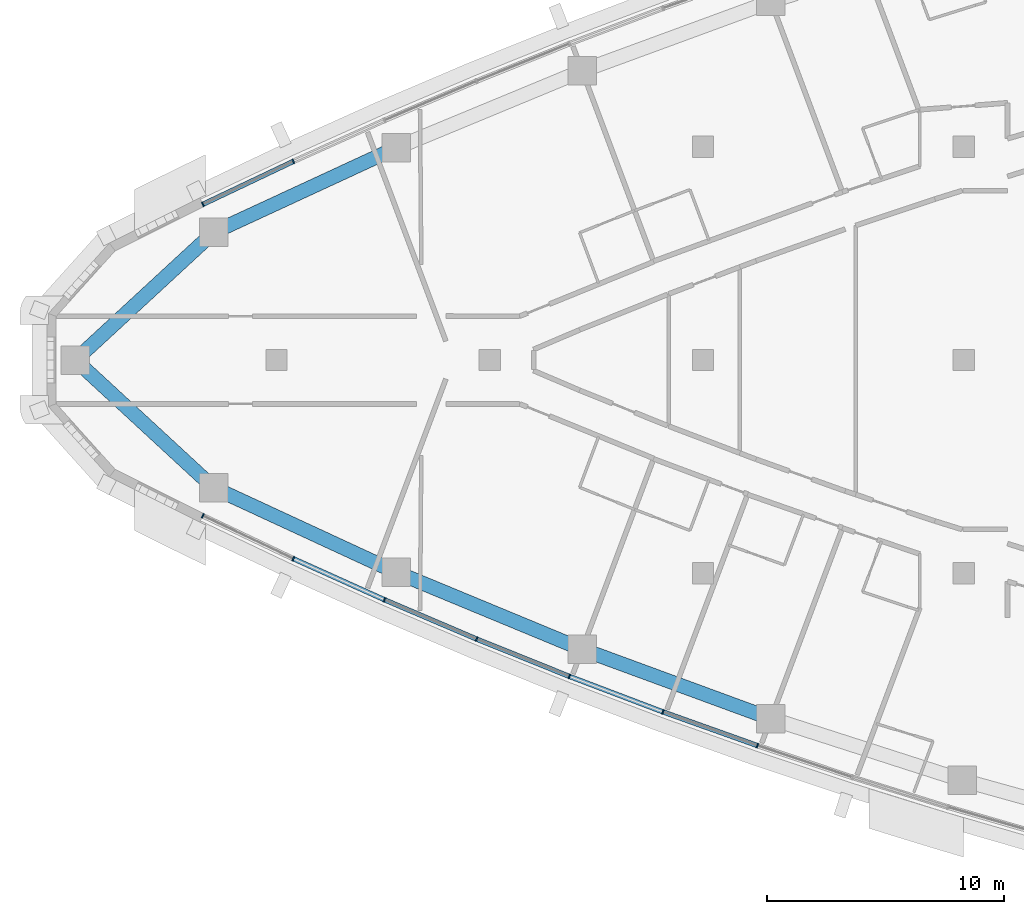
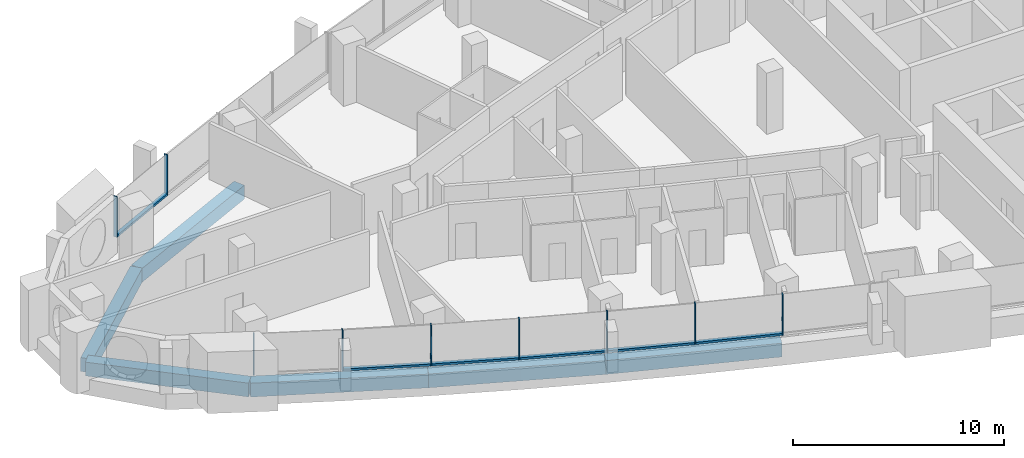
# One storey, part 2 of 16: 15 members, 6 beams, 4 elements without a shape of their own.
"""IFC4 building model written with IfcOpenShell, lengths in metres."""

from ifc_helpers import new_model, si_unit, direction, frame, origin, origin_2d, place, context, subcontext, project, spatial, rectangle, extrude, material, layer, layer_set, material_profile, profile_set, type_object, element, aggregate, save


model = new_model("IFC4")

# Units and contexts
model_context = context("Model", 3, precision=1e-05, world=origin(), true_north=direction((0.0, 1.0)))
body_context = subcontext(model_context, "Body", "Model", "MODEL_VIEW")
ifc_project = project(units=[si_unit("LENGTHUNIT", "METRE"), si_unit("AREAUNIT", "SQUARE_METRE"), si_unit("VOLUMEUNIT", "CUBIC_METRE"), si_unit("PLANEANGLEUNIT", "RADIAN"), si_unit("MASSUNIT", "GRAM", prefix="KILO")], contexts=[model_context])

# Site, building, storey
site_placement = place(None, origin())
site = spatial("IfcSite", under=ifc_project, at=site_placement, CompositionType="ELEMENT")
building_placement = place(site_placement, origin())
building = spatial("IfcBuilding", under=site, at=building_placement, Name="Ostrand Prow Hotel Tower", CompositionType="ELEMENT")
storey_placement = place(building_placement, frame((0.0, 0.0, 224.35009765625)))
storey = spatial("IfcBuildingStorey", under=building, at=storey_placement, Name="L56", CompositionType="ELEMENT", Elevation=224.35009765625)

# Beams
ifc_material_1 = material(Name="Concrete C50/60", Category="concrete")
ifc_material_profile_1 = material_profile(ifc_material_1, rectangle(XDim=0.60009765625, YDim=0.800048828125, at=origin_2d()), Name="RC 600x800")
ifc_profile_set_1 = profile_set([ifc_material_profile_1], Name="Concrete C50/60")
beam_type = type_object("IfcBeamType", Name="Edge beam 600x800 C50/60", PredefinedType="SPANDREL", material=ifc_profile_set_1)
beam_1_placement = place(storey_placement, frame((7.513916015625, 0.0, -0.7001953125), z_axis=(0.734806976358, -0.678276276672, 0.0), x_axis=(0.678276276672, 0.734806976358, 0.0)))
element("IfcBeam", 1, at=beam_1_placement, inside=storey, type_object=beam_type, Name="Edge beam P-S1", PredefinedType="SPANDREL", context=body_context, shape_type="SweptSolid", body=[
    extrude(rectangle(XDim=0.60009765625, YDim=0.800048828125, at=origin_2d()), origin(), (0.0, 0.0, 1.0), 7.95068359375),
])
beam_2_placement = place(storey_placement, frame((13.356201171875, -5.392822265625, -0.7001953125), z_axis=(0.907521936352, -0.420004684544, 0.0), x_axis=(0.420004684544, 0.907521936352, 0.0)))
element("IfcBeam", 2, at=beam_2_placement, inside=storey, type_object=beam_type, Name="Edge beam S1-S2", PredefinedType="SPANDREL", context=body_context, shape_type="SweptSolid", body=[
    extrude(rectangle(XDim=0.60009765625, YDim=0.800048828125, at=origin_2d()), origin(), (0.0, 0.0, 1.0), 8.4873046875),
])
for number, where, z_axis, x_axis, name in (
    (3, (21.05859375, -8.95751953125, -0.7001953125), (0.923890977326, -0.38265580097, 0.0), (0.38265580097, 0.923890977326, 0.0), "Edge beam S2-S3"),
    (4, (28.900146484375, -12.205322265625, -0.7001953125), (0.938684959139, -0.344776083113, 0.0), (0.344776083113, 0.938684959139, 0.0), "Edge beam S3-S4"),
):
    element("IfcBeam", number, at=place(storey_placement, frame(where, z_axis=z_axis, x_axis=x_axis)), inside=storey, type_object=beam_type, Name=name, PredefinedType="SPANDREL", context=body_context, shape_type="SweptSolid", body=[
        extrude(rectangle(XDim=0.60009765625, YDim=0.800048828125, at=origin_2d()), origin(), (0.0, 0.0, 1.0), 8.487548828125),
    ])
beam_3_placement = place(storey_placement, frame((21.05859375, 8.95751953125, -0.7001953125), z_axis=(-0.907521936352, -0.420004684544, 0.0), x_axis=(0.420004684544, -0.907521936352, 0.0)))
element("IfcBeam", 5, at=beam_3_placement, inside=storey, type_object=beam_type, Name="Edge beam N5-N6", PredefinedType="SPANDREL", context=body_context, shape_type="SweptSolid", body=[
    extrude(rectangle(XDim=0.60009765625, YDim=0.800048828125, at=origin_2d()), origin(), (0.0, 0.0, 1.0), 8.4873046875),
])
beam_4_placement = place(storey_placement, frame((13.356201171875, 5.392822265625, -0.7001953125), z_axis=(-0.734806976358, -0.678276276672, 0.0), x_axis=(0.678276276672, -0.734806976358, 0.0)))
element("IfcBeam", 6, at=beam_4_placement, inside=storey, type_object=beam_type, Name="Edge beam N6-P", PredefinedType="SPANDREL", context=body_context, shape_type="SweptSolid", body=[
    extrude(rectangle(XDim=0.60009765625, YDim=0.800048828125, at=origin_2d()), origin(), (0.0, 0.0, 1.0), 7.95068359375),
])

# Curtain wall, members
ifc_material_2 = material(Name="Insulated glass in bronze anodised frame", Category="glass")
ifc_layer = layer(ifc_material_2, 0.199951171875)
ifc_layer_set = layer_set([ifc_layer], Name="Insulated glass in bronze anodised frame")
curtain_wall_type = type_object("IfcCurtainWallType", Name="Strip curtain wall, fritted glass over bronze spandrel", PredefinedType="NOTDEFINED", material=ifc_layer_set)
curtain_wall_1_placement = place(storey_placement, origin())
curtain_wall_1 = element("IfcCurtainWall", 7, at=curtain_wall_1_placement, inside=storey, type_object=curtain_wall_type, Name="CW1 run CWS1", PredefinedType="NOTDEFINED")
ifc_material_3 = material(Name="Bronze anodised aluminium", Category="aluminium")
ifc_material_profile_2 = material_profile(ifc_material_3, rectangle(XDim=0.199951171875, YDim=0.06005859375, at=origin_2d()), Name="Mullion 60x200 bronze anodised aluminium")
ifc_profile_set_2 = profile_set([ifc_material_profile_2], Name="Bronze anodised aluminium")
member_type_1 = type_object("IfcMemberType", Name="Mullion 60x200 bronze anodised aluminium", PredefinedType="MULLION", material=ifc_profile_set_2)
member_1_placement = place(storey_placement, frame((12.893310546875, -6.57080078125, 0.89990234375), z_axis=(0.0, 0.0, 1.0), x_axis=(0.428861030937, 0.903370475577, 0.0)))
member_1 = element("IfcMember", 8, at=member_1_placement, type_object=member_type_1, Name="CW1 mullion 1", PredefinedType="MULLION", context=body_context, shape_type="SweptSolid", body=[
    extrude(rectangle(XDim=0.199951171875, YDim=0.06005859375, at=origin_2d()), origin(), (0.0, 0.0, 1.0), 2.35009765625),
])
member_2_placement = place(storey_placement, frame((16.708740234375, -8.382080078125, 0.89990234375), z_axis=(0.0, 0.0, 1.0), x_axis=(0.41058199404, 0.911823681514, 0.0)))
member_2 = element("IfcMember", 9, at=member_2_placement, type_object=member_type_1, Name="CW1 mullion 2", PredefinedType="MULLION", context=body_context, shape_type="SweptSolid", body=[
    extrude(rectangle(XDim=0.199951171875, YDim=0.06005859375, at=origin_2d()), origin(), (0.0, 0.0, 1.0), 2.35009765625),
])
member_3_placement = place(storey_placement, frame((20.56005859375, -10.116455078125, 0.89990234375), z_axis=(0.0, 0.0, 1.0), x_axis=(0.41058199404, 0.911823681514, 0.0)))
member_3 = element("IfcMember", 10, at=member_3_placement, type_object=member_type_1, Name="CW1 mullion 3", PredefinedType="MULLION", context=body_context, shape_type="SweptSolid", body=[
    extrude(rectangle(XDim=0.199951171875, YDim=0.06005859375, at=origin_2d()), origin(), (0.0, 0.0, 1.0), 2.35009765625),
])

curtain_wall_2_placement = place(storey_placement, origin())
curtain_wall_2 = element("IfcCurtainWall", 11, at=curtain_wall_2_placement, inside=storey, type_object=curtain_wall_type, Name="CW1 run CWS2", PredefinedType="NOTDEFINED")
member_4_placement = place(storey_placement, frame((24.445556640625, -11.772705078125, 0.89990234375), z_axis=(0.0, 0.0, 1.0), x_axis=(0.373533449004, 0.927616710972, 0.0)))
member_4 = element("IfcMember", 12, at=member_4_placement, type_object=member_type_1, Name="CW1 mullion 2", PredefinedType="MULLION", context=body_context, shape_type="SweptSolid", body=[
    extrude(rectangle(XDim=0.199951171875, YDim=0.06005859375, at=origin_2d()), origin(), (0.0, 0.0, 1.0), 2.35009765625),
])
member_5_placement = place(storey_placement, frame((28.363525390625, -13.350341796875, 0.89990234375), z_axis=(0.0, 0.0, 1.0), x_axis=(0.373533449004, 0.927616710972, 0.0)))
member_5 = element("IfcMember", 13, at=member_5_placement, type_object=member_type_1, Name="CW1 mullion 3", PredefinedType="MULLION", context=body_context, shape_type="SweptSolid", body=[
    extrude(rectangle(XDim=0.199951171875, YDim=0.06005859375, at=origin_2d()), origin(), (0.0, 0.0, 1.0), 2.35009765625),
])

curtain_wall_3_placement = place(storey_placement, origin())
curtain_wall_3 = element("IfcCurtainWall", 14, at=curtain_wall_3_placement, inside=storey, type_object=curtain_wall_type, Name="CW1 run CWS3", PredefinedType="NOTDEFINED")
member_6_placement = place(storey_placement, frame((32.3125, -14.848876953125, 0.89990234375), z_axis=(0.0, 0.0, 1.0), x_axis=(0.335877383374, 0.941905718922, 0.0)))
member_6 = element("IfcMember", 15, at=member_6_placement, type_object=member_type_1, Name="CW1 mullion 2", PredefinedType="MULLION", context=body_context, shape_type="SweptSolid", body=[
    extrude(rectangle(XDim=0.199951171875, YDim=0.06005859375, at=origin_2d()), origin(), (0.0, 0.0, 1.0), 2.35009765625),
])
member_7_placement = place(storey_placement, frame((36.291015625, -16.267578125, 0.89990234375), z_axis=(0.0, 0.0, 1.0), x_axis=(0.335877383374, 0.941905718922, 0.0)))
member_7 = element("IfcMember", 16, at=member_7_placement, type_object=member_type_1, Name="CW1 mullion 3", PredefinedType="MULLION", context=body_context, shape_type="SweptSolid", body=[
    extrude(rectangle(XDim=0.199951171875, YDim=0.06005859375, at=origin_2d()), origin(), (0.0, 0.0, 1.0), 2.35009765625),
])

curtain_wall_4_placement = place(storey_placement, origin())
curtain_wall_4 = element("IfcCurtainWall", 17, at=curtain_wall_4_placement, inside=storey, type_object=curtain_wall_type, Name="CW1 run CWN5", PredefinedType="NOTDEFINED")
member_8_placement = place(storey_placement, frame((16.708740234375, 8.382080078125, 0.89990234375), z_axis=(0.0, 0.0, 1.0), x_axis=(0.428861030937, -0.903370475577, 0.0)))
member_8 = element("IfcMember", 18, at=member_8_placement, type_object=member_type_1, Name="CW1 mullion 2", PredefinedType="MULLION", context=body_context, shape_type="SweptSolid", body=[
    extrude(rectangle(XDim=0.199951171875, YDim=0.06005859375, at=origin_2d()), origin(), (0.0, 0.0, 1.0), 2.35009765625),
])
member_9_placement = place(storey_placement, frame((12.893310546875, 6.57080078125, 0.89990234375), z_axis=(0.0, 0.0, 1.0), x_axis=(0.428861030937, -0.903370475577, 0.0)))
member_9 = element("IfcMember", 19, at=member_9_placement, type_object=member_type_1, Name="CW1 mullion 3", PredefinedType="MULLION", context=body_context, shape_type="SweptSolid", body=[
    extrude(rectangle(XDim=0.199951171875, YDim=0.06005859375, at=origin_2d()), origin(), (0.0, 0.0, 1.0), 2.35009765625),
])

# Member
ifc_material_4 = material(Name="Bronze anodised aluminium", Category="aluminium")
ifc_material_profile_3 = material_profile(ifc_material_4, rectangle(XDim=0.199951171875, YDim=0.1201171875, at=origin_2d()), Name="Transom 120x200 bronze anodised aluminium")
ifc_profile_set_3 = profile_set([ifc_material_profile_3], Name="Bronze anodised aluminium")
member_type_2 = type_object("IfcMemberType", Name="Transom 120x200 bronze anodised aluminium", PredefinedType="USERDEFINED", material=ifc_profile_set_3)
member_10_placement = place(storey_placement, frame((16.736083984375, -8.39453125, 0.9599609375), z_axis=(0.911832617051, -0.410562149353, 0.0), x_axis=(0.410562149353, 0.911832617051, 0.0)))
member_10 = element("IfcMember", 20, at=member_10_placement, type_object=member_type_2, Name="CW1 transom 2.1", ObjectType="TRANSOM", PredefinedType="USERDEFINED", context=body_context, shape_type="SweptSolid", body=[
    extrude(rectangle(XDim=0.199951171875, YDim=0.1201171875, at=origin_2d()), origin(), (0.0, 0.0, 1.0), 4.163818359375),
])

aggregate(curtain_wall_1, [member_1, member_2, member_3, member_10])

member_11_placement = place(storey_placement, frame((20.587646484375, -10.128173828125, 0.9599609375), z_axis=(0.919904541337, -0.392142365509, 0.0), x_axis=(0.392142365509, 0.919904541337, 0.0)))
member_11 = element("IfcMember", 21, at=member_11_placement, type_object=member_type_2, Name="CW1 transom 1.1", ObjectType="TRANSOM", PredefinedType="USERDEFINED", context=body_context, shape_type="SweptSolid", body=[
    extrude(rectangle(XDim=0.199951171875, YDim=0.1201171875, at=origin_2d()), origin(), (0.0, 0.0, 1.0), 4.163818359375),
])

member_12_placement = place(storey_placement, frame((24.473388671875, -11.783935546875, 0.9599609375), z_axis=(0.927625049372, -0.373512741119, 0.0), x_axis=(0.373512741119, 0.927625049372, 0.0)))
member_12 = element("IfcMember", 22, at=member_12_placement, type_object=member_type_2, Name="CW1 transom 2.1", ObjectType="TRANSOM", PredefinedType="USERDEFINED", context=body_context, shape_type="SweptSolid", body=[
    extrude(rectangle(XDim=0.199951171875, YDim=0.1201171875, at=origin_2d()), origin(), (0.0, 0.0, 1.0), 4.16357421875),
])

aggregate(curtain_wall_2, [member_4, member_5, member_11, member_12])

member_13_placement = place(storey_placement, frame((28.3916015625, -13.361083984375, 0.9599609375), z_axis=(0.934960644813, -0.354751451936, 0.0), x_axis=(0.354751451936, 0.934960644813, 0.0)))
member_13 = element("IfcMember", 23, at=member_13_placement, type_object=member_type_2, Name="CW1 transom 1.1", ObjectType="TRANSOM", PredefinedType="USERDEFINED", context=body_context, shape_type="SweptSolid", body=[
    extrude(rectangle(XDim=0.199951171875, YDim=0.1201171875, at=origin_2d()), origin(), (0.0, 0.0, 1.0), 4.16357421875),
])

member_14_placement = place(storey_placement, frame((32.3408203125, -14.85888671875, 0.9599609375), z_axis=(0.941911594104, -0.335860907061, 0.0), x_axis=(0.335860907061, 0.941911594104, 0.0)))
member_14 = element("IfcMember", 24, at=member_14_placement, type_object=member_type_2, Name="CW1 transom 2.1", ObjectType="TRANSOM", PredefinedType="USERDEFINED", context=body_context, shape_type="SweptSolid", body=[
    extrude(rectangle(XDim=0.199951171875, YDim=0.1201171875, at=origin_2d()), origin(), (0.0, 0.0, 1.0), 4.163818359375),
])

aggregate(curtain_wall_3, [member_6, member_7, member_13, member_14])

member_15_placement = place(storey_placement, frame((16.681640625, 8.369384765625, 0.9599609375), z_axis=(-0.903364977925, -0.428872611226, 0.0), x_axis=(0.428872611226, -0.903364977925, 0.0)))
member_15 = element("IfcMember", 25, at=member_15_placement, type_object=member_type_2, Name="CW1 transom 2.1", ObjectType="TRANSOM", PredefinedType="USERDEFINED", context=body_context, shape_type="SweptSolid", body=[
    extrude(rectangle(XDim=0.199951171875, YDim=0.1201171875, at=origin_2d()), origin(), (0.0, 0.0, 1.0), 4.16357421875),
])

aggregate(curtain_wall_4, [member_8, member_9, member_15])

save(model, "model.ifc")
